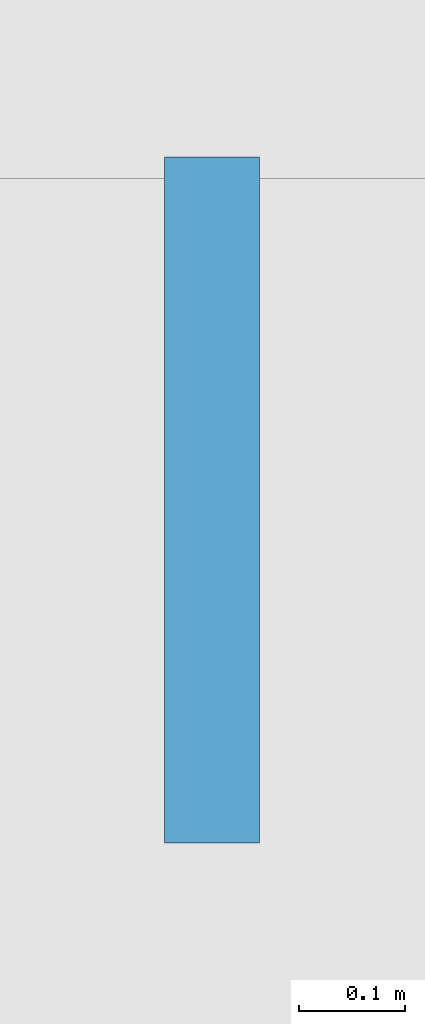
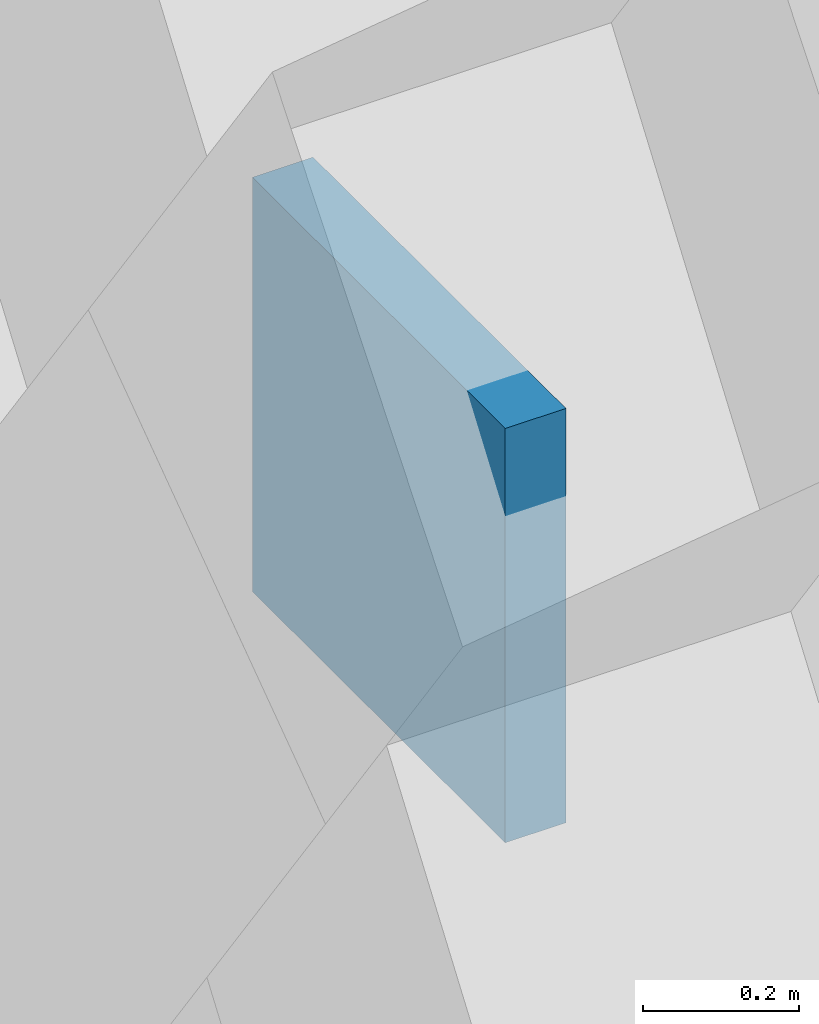
# One storey, part 76 of 101: 1 plate.
"""IFC4 building model written with IfcOpenShell, lengths in metres."""

from ifc_helpers import new_model, si_unit, direction, frame, origin, origin_2d, place, context, subcontext, project, spatial, rectangle, extrude, material, layer, layer_set, type_object, element, save


model = new_model("IFC4")

# Units and contexts
model_context = context("Model", 3, precision=1e-05, world=origin(), true_north=direction((0.0, 1.0)))
body_context = subcontext(model_context, "Body", "Model", "MODEL_VIEW")
ifc_project = project(units=[si_unit("LENGTHUNIT", "METRE"), si_unit("AREAUNIT", "SQUARE_METRE"), si_unit("VOLUMEUNIT", "CUBIC_METRE"), si_unit("PLANEANGLEUNIT", "RADIAN"), si_unit("MASSUNIT", "GRAM", prefix="KILO"), si_unit("THERMODYNAMICTEMPERATUREUNIT", "KELVIN"), si_unit("POWERUNIT", "WATT")], contexts=[model_context])

# Site, building, storey
site_placement = place(None, origin())
site = spatial("IfcSite", under=ifc_project, at=site_placement, CompositionType="ELEMENT")
building_placement = place(site_placement, origin())
building = spatial("IfcBuilding", under=site, at=building_placement, Name="Tembeka Court Mobility Hub", CompositionType="ELEMENT")
storey_placement = place(building_placement, frame((0.0, 0.0, 5.39990234375)))
storey = spatial("IfcBuildingStorey", under=building, at=storey_placement, Name="L01", CompositionType="ELEMENT", Elevation=5.39990234375)

# Plate
ifc_material = material(Name="Precast concrete C45/55", Category="concrete")
ifc_layer = layer(ifc_material, 0.090087890625)
ifc_layer_set = layer_set([ifc_layer], Name="Precast concrete C45/55")
plate_type = type_object("IfcPlateType", Name="PL-PC01", PredefinedType="SHEET", material=ifc_layer_set)
plate_placement = place(storey_placement, frame((-0.340087890625, 62.550048828125, 1.16015625), z_axis=(0.0, 0.0, 1.0), x_axis=(1.0, 0.0, 0.0)))
element("IfcPlate", 1, at=plate_placement, inside=storey, type_object=plate_type, Name="Precast diamond lattice node plate PCN01 (L01-118)", PredefinedType="SHEET", context=body_context, shape_type="SweptSolid", body=[
    extrude(rectangle(XDim=0.090087890625, YDim=0.64990234375, at=origin_2d()), origin(), (0.0, 0.0, 1.0), 0.64990234375),
])

save(model, "model.ifc")
